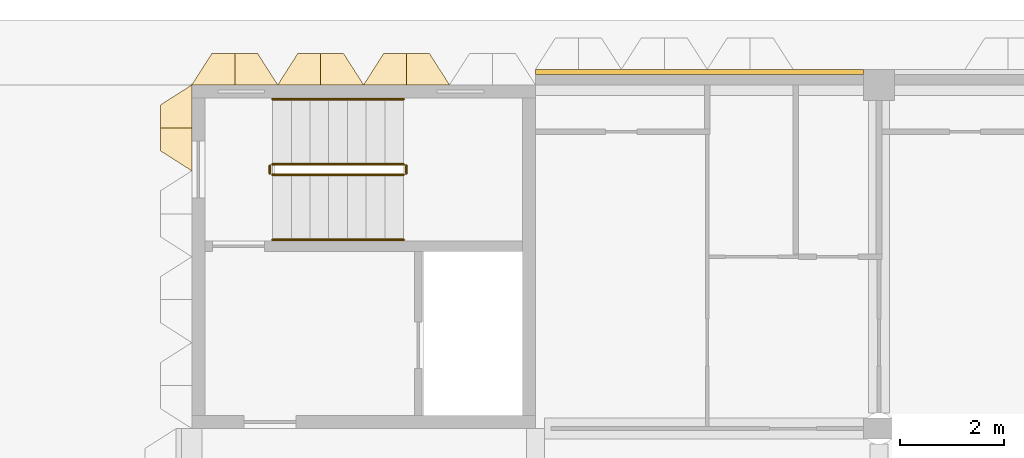
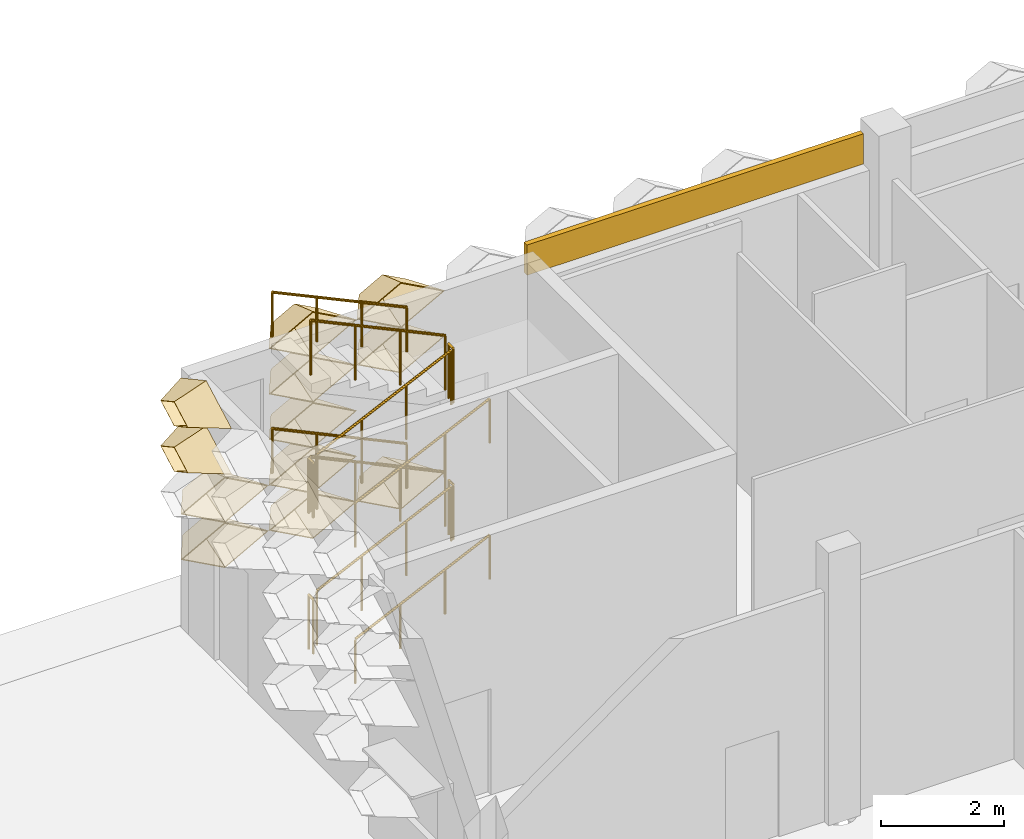
# One storey, part 74 of 85: 13 coverings, 12 railings.
"""IFC4 building model written with IfcOpenShell, lengths in metres."""

from ifc_helpers import new_model, entity, si_unit, direction, frame, frame_2d, origin, origin_2d, place, context, subcontext, project, spatial, rectangle, circle, extrude, material, layer, layer_set, type_object, element, save


model = new_model("IFC4")

# Units and contexts
model_context = context("Model", 3, precision=1e-05, world=origin(), true_north=direction((0.0, 1.0)))
body_context = subcontext(model_context, "Body", "Model", "MODEL_VIEW")
ifc_project = project(units=[si_unit("LENGTHUNIT", "METRE"), si_unit("AREAUNIT", "SQUARE_METRE"), si_unit("VOLUMEUNIT", "CUBIC_METRE"), si_unit("PLANEANGLEUNIT", "RADIAN"), si_unit("MASSUNIT", "GRAM", prefix="KILO")], contexts=[model_context])

# Site, building, storey
site_placement = place(None, origin())
site = spatial("IfcSite", under=ifc_project, at=site_placement, CompositionType="ELEMENT")
building_placement = place(site_placement, origin())
building = spatial("IfcBuilding", under=site, at=building_placement, Name="Lantern Court Research Institute", CompositionType="ELEMENT")
storey_placement = place(building_placement, origin())
storey = spatial("IfcBuildingStorey", under=building, at=storey_placement, Name="L00", CompositionType="ELEMENT", Elevation=0.0)

# Coverings
ifc_material_1 = material(Name="Aluminium composite panel with mineral wool insulation", Category="aluminium")
ifc_layer_1 = layer(ifc_material_1, 0.10009765625)
ifc_layer_set_1 = layer_set([ifc_layer_1], Name="Aluminium composite panel with mineral wool insulation")
covering_type_1 = type_object("IfcCoveringType", Name="Edge fascia panel 100 aluminium faced", PredefinedType="CLADDING", material=ifc_layer_set_1)
covering_1_placement = place(storey_placement, frame((6.60009765625, 99.25, 4.550048828125), z_axis=(0.0, 0.0, 1.0), x_axis=(1.0, 0.0, 0.0)))
element("IfcCovering", 1, at=covering_1_placement, inside=storey, type_object=covering_type_1, Name="Edge fascia V6N L00 01", PredefinedType="CLADDING", context=body_context, shape_type="SweptSolid", body=[
    extrude(rectangle(XDim=6.2998046875, YDim=0.10009765625, at=frame_2d((3.14990234375, 0.0))), origin(), (0.0, 0.0, 1.0), 0.599853515625),
])
ifc_material_2 = material(Name="Anodised aluminium", Category="aluminium")
ifc_layer_2 = layer(ifc_material_2, 0.01611328125)
ifc_layer_set_2 = layer_set([ifc_layer_2], Name="Anodised aluminium")
covering_type_2 = type_object("IfcCoveringType", Name="Fin cassette 1650 x 900 x 600 aluminium", PredefinedType="CLADDING", material=ifc_layer_set_2)
covering_2_placement = place(storey_placement, frame((0.824951171875, 99.0, 1.35009765625), z_axis=(0.0, 1.0, 0.0), x_axis=(-1.0, 0.0, 0.0)))
cartesian_point_1 = entity("IfcCartesianPoint", [0.824951171875, 0.0])
cartesian_point_2 = entity("IfcCartesianPoint", [0.79150390625, 0.0])
cartesian_point_3 = entity("IfcCartesianPoint", [0.44189453125, 0.0])
cartesian_point_4 = entity("IfcCartesianPoint", [0.43359375, 0.0])
element("IfcCovering", 2, at=covering_2_placement, inside=storey, type_object=covering_type_2, Name="Fin cassette V6N-L00 2.1", PredefinedType="CLADDING", context=body_context, shape_type="SweptSolid", body=[
    entity("IfcExtrudedAreaSolidTapered", entity("IfcArbitraryProfileDefWithVoids", "AREA", None, entity("IfcPolyline", [cartesian_point_1, entity("IfcCartesianPoint", [0.0, 0.449951171875]), entity("IfcCartesianPoint", [-0.824951171875, 0.0]), entity("IfcCartesianPoint", [0.0, -0.449951171875]), cartesian_point_1]), [entity("IfcPolyline", [cartesian_point_2, entity("IfcCartesianPoint", [0.0, 0.431884765625]), entity("IfcCartesianPoint", [-0.79150390625, 0.0]), entity("IfcCartesianPoint", [0.0, -0.431884765625]), cartesian_point_2])]), entity("IfcAxis2Placement3D", entity("IfcCartesianPoint", [0.0, 0.0, 0.0])), entity("IfcDirection", [0.0, 0.0, 1.0]), 0.60009765625, entity("IfcArbitraryProfileDefWithVoids", "AREA", None, entity("IfcPolyline", [cartesian_point_3, entity("IfcCartesianPoint", [0.0, 0.240966796875]), entity("IfcCartesianPoint", [-0.44189453125, 0.0]), entity("IfcCartesianPoint", [0.0, -0.240966796875]), cartesian_point_3]), [entity("IfcPolyline", [cartesian_point_4, entity("IfcCartesianPoint", [0.0, 0.236572265625]), entity("IfcCartesianPoint", [-0.43359375, 0.0]), entity("IfcCartesianPoint", [0.0, -0.236572265625]), cartesian_point_4])])),
])
covering_3_placement = place(storey_placement, frame((2.47509765625, 99.0, 1.35009765625), z_axis=(0.0, 1.0, 0.0), x_axis=(-1.0, 0.0, 0.0)))
cartesian_point_5 = entity("IfcCartesianPoint", [0.824951171875, 0.0])
cartesian_point_6 = entity("IfcCartesianPoint", [0.79150390625, 0.0])
cartesian_point_7 = entity("IfcCartesianPoint", [0.44189453125, 0.0])
cartesian_point_8 = entity("IfcCartesianPoint", [0.43359375, 0.0])
element("IfcCovering", 3, at=covering_3_placement, inside=storey, type_object=covering_type_2, Name="Fin cassette V6N-L00 2.2", PredefinedType="CLADDING", context=body_context, shape_type="SweptSolid", body=[
    entity("IfcExtrudedAreaSolidTapered", entity("IfcArbitraryProfileDefWithVoids", "AREA", None, entity("IfcPolyline", [cartesian_point_5, entity("IfcCartesianPoint", [0.0, 0.449951171875]), entity("IfcCartesianPoint", [-0.824951171875, 0.0]), entity("IfcCartesianPoint", [0.0, -0.449951171875]), cartesian_point_5]), [entity("IfcPolyline", [cartesian_point_6, entity("IfcCartesianPoint", [0.0, 0.431884765625]), entity("IfcCartesianPoint", [-0.79150390625, 0.0]), entity("IfcCartesianPoint", [0.0, -0.431884765625]), cartesian_point_6])]), entity("IfcAxis2Placement3D", entity("IfcCartesianPoint", [0.0, 0.0, 0.0])), entity("IfcDirection", [0.0, 0.0, 1.0]), 0.60009765625, entity("IfcArbitraryProfileDefWithVoids", "AREA", None, entity("IfcPolyline", [cartesian_point_7, entity("IfcCartesianPoint", [0.0, 0.240966796875]), entity("IfcCartesianPoint", [-0.44189453125, 0.0]), entity("IfcCartesianPoint", [0.0, -0.240966796875]), cartesian_point_7]), [entity("IfcPolyline", [cartesian_point_8, entity("IfcCartesianPoint", [0.0, 0.236572265625]), entity("IfcCartesianPoint", [-0.43359375, 0.0]), entity("IfcCartesianPoint", [0.0, -0.236572265625]), cartesian_point_8])])),
])
covering_4_placement = place(storey_placement, frame((4.125, 99.0, 1.35009765625), z_axis=(0.0, 1.0, 0.0), x_axis=(-1.0, 0.0, 0.0)))
cartesian_point_9 = entity("IfcCartesianPoint", [0.824951171875, 0.0])
cartesian_point_10 = entity("IfcCartesianPoint", [0.79150390625, 0.0])
cartesian_point_11 = entity("IfcCartesianPoint", [0.44189453125, 0.0])
cartesian_point_12 = entity("IfcCartesianPoint", [0.43359375, 0.0])
element("IfcCovering", 4, at=covering_4_placement, inside=storey, type_object=covering_type_2, Name="Fin cassette V6N-L00 2.3", PredefinedType="CLADDING", context=body_context, shape_type="SweptSolid", body=[
    entity("IfcExtrudedAreaSolidTapered", entity("IfcArbitraryProfileDefWithVoids", "AREA", None, entity("IfcPolyline", [cartesian_point_9, entity("IfcCartesianPoint", [0.0, 0.449951171875]), entity("IfcCartesianPoint", [-0.824951171875, 0.0]), entity("IfcCartesianPoint", [0.0, -0.449951171875]), cartesian_point_9]), [entity("IfcPolyline", [cartesian_point_10, entity("IfcCartesianPoint", [0.0, 0.431884765625]), entity("IfcCartesianPoint", [-0.79150390625, 0.0]), entity("IfcCartesianPoint", [0.0, -0.431884765625]), cartesian_point_10])]), entity("IfcAxis2Placement3D", entity("IfcCartesianPoint", [0.0, 0.0, 0.0])), entity("IfcDirection", [0.0, 0.0, 1.0]), 0.60009765625, entity("IfcArbitraryProfileDefWithVoids", "AREA", None, entity("IfcPolyline", [cartesian_point_11, entity("IfcCartesianPoint", [0.0, 0.240966796875]), entity("IfcCartesianPoint", [-0.44189453125, 0.0]), entity("IfcCartesianPoint", [0.0, -0.240966796875]), cartesian_point_11]), [entity("IfcPolyline", [cartesian_point_12, entity("IfcCartesianPoint", [0.0, 0.236572265625]), entity("IfcCartesianPoint", [-0.43359375, 0.0]), entity("IfcCartesianPoint", [0.0, -0.236572265625]), cartesian_point_12])])),
])
covering_5_placement = place(storey_placement, frame((0.824951171875, 99.0, 2.25), z_axis=(0.0, 1.0, 0.0), x_axis=(-1.0, 0.0, 0.0)))
cartesian_point_13 = entity("IfcCartesianPoint", [0.824951171875, 0.0])
cartesian_point_14 = entity("IfcCartesianPoint", [0.79150390625, 0.0])
cartesian_point_15 = entity("IfcCartesianPoint", [0.44189453125, 0.0])
cartesian_point_16 = entity("IfcCartesianPoint", [0.43359375, 0.0])
element("IfcCovering", 5, at=covering_5_placement, inside=storey, type_object=covering_type_2, Name="Fin cassette V6N-L00 3.1", PredefinedType="CLADDING", context=body_context, shape_type="SweptSolid", body=[
    entity("IfcExtrudedAreaSolidTapered", entity("IfcArbitraryProfileDefWithVoids", "AREA", None, entity("IfcPolyline", [cartesian_point_13, entity("IfcCartesianPoint", [0.0, 0.449951171875]), entity("IfcCartesianPoint", [-0.824951171875, 0.0]), entity("IfcCartesianPoint", [0.0, -0.449951171875]), cartesian_point_13]), [entity("IfcPolyline", [cartesian_point_14, entity("IfcCartesianPoint", [0.0, 0.431884765625]), entity("IfcCartesianPoint", [-0.79150390625, 0.0]), entity("IfcCartesianPoint", [0.0, -0.431884765625]), cartesian_point_14])]), entity("IfcAxis2Placement3D", entity("IfcCartesianPoint", [0.0, 0.0, 0.0])), entity("IfcDirection", [0.0, 0.0, 1.0]), 0.60009765625, entity("IfcArbitraryProfileDefWithVoids", "AREA", None, entity("IfcPolyline", [cartesian_point_15, entity("IfcCartesianPoint", [0.0, 0.240966796875]), entity("IfcCartesianPoint", [-0.44189453125, 0.0]), entity("IfcCartesianPoint", [0.0, -0.240966796875]), cartesian_point_15]), [entity("IfcPolyline", [cartesian_point_16, entity("IfcCartesianPoint", [0.0, 0.236572265625]), entity("IfcCartesianPoint", [-0.43359375, 0.0]), entity("IfcCartesianPoint", [0.0, -0.236572265625]), cartesian_point_16])])),
])
covering_6_placement = place(storey_placement, frame((2.47509765625, 99.0, 2.25), z_axis=(0.0, 1.0, 0.0), x_axis=(-1.0, 0.0, 0.0)))
cartesian_point_17 = entity("IfcCartesianPoint", [0.824951171875, 0.0])
cartesian_point_18 = entity("IfcCartesianPoint", [0.79150390625, 0.0])
cartesian_point_19 = entity("IfcCartesianPoint", [0.44189453125, 0.0])
cartesian_point_20 = entity("IfcCartesianPoint", [0.43359375, 0.0])
element("IfcCovering", 6, at=covering_6_placement, inside=storey, type_object=covering_type_2, Name="Fin cassette V6N-L00 3.2", PredefinedType="CLADDING", context=body_context, shape_type="SweptSolid", body=[
    entity("IfcExtrudedAreaSolidTapered", entity("IfcArbitraryProfileDefWithVoids", "AREA", None, entity("IfcPolyline", [cartesian_point_17, entity("IfcCartesianPoint", [0.0, 0.449951171875]), entity("IfcCartesianPoint", [-0.824951171875, 0.0]), entity("IfcCartesianPoint", [0.0, -0.449951171875]), cartesian_point_17]), [entity("IfcPolyline", [cartesian_point_18, entity("IfcCartesianPoint", [0.0, 0.431884765625]), entity("IfcCartesianPoint", [-0.79150390625, 0.0]), entity("IfcCartesianPoint", [0.0, -0.431884765625]), cartesian_point_18])]), entity("IfcAxis2Placement3D", entity("IfcCartesianPoint", [0.0, 0.0, 0.0])), entity("IfcDirection", [0.0, 0.0, 1.0]), 0.60009765625, entity("IfcArbitraryProfileDefWithVoids", "AREA", None, entity("IfcPolyline", [cartesian_point_19, entity("IfcCartesianPoint", [0.0, 0.240966796875]), entity("IfcCartesianPoint", [-0.44189453125, 0.0]), entity("IfcCartesianPoint", [0.0, -0.240966796875]), cartesian_point_19]), [entity("IfcPolyline", [cartesian_point_20, entity("IfcCartesianPoint", [0.0, 0.236572265625]), entity("IfcCartesianPoint", [-0.43359375, 0.0]), entity("IfcCartesianPoint", [0.0, -0.236572265625]), cartesian_point_20])])),
])
covering_7_placement = place(storey_placement, frame((2.47509765625, 99.0, 3.14990234375), z_axis=(0.0, 1.0, 0.0), x_axis=(-1.0, 0.0, 0.0)))
cartesian_point_21 = entity("IfcCartesianPoint", [0.824951171875, 0.0])
cartesian_point_22 = entity("IfcCartesianPoint", [0.79150390625, 0.0])
cartesian_point_23 = entity("IfcCartesianPoint", [0.44189453125, 0.0])
cartesian_point_24 = entity("IfcCartesianPoint", [0.43359375, 0.0])
element("IfcCovering", 7, at=covering_7_placement, inside=storey, type_object=covering_type_2, Name="Fin cassette V6N-L00 4.2", PredefinedType="CLADDING", context=body_context, shape_type="SweptSolid", body=[
    entity("IfcExtrudedAreaSolidTapered", entity("IfcArbitraryProfileDefWithVoids", "AREA", None, entity("IfcPolyline", [cartesian_point_21, entity("IfcCartesianPoint", [0.0, 0.449951171875]), entity("IfcCartesianPoint", [-0.824951171875, 0.0]), entity("IfcCartesianPoint", [0.0, -0.449951171875]), cartesian_point_21]), [entity("IfcPolyline", [cartesian_point_22, entity("IfcCartesianPoint", [0.0, 0.431884765625]), entity("IfcCartesianPoint", [-0.79150390625, 0.0]), entity("IfcCartesianPoint", [0.0, -0.431884765625]), cartesian_point_22])]), entity("IfcAxis2Placement3D", entity("IfcCartesianPoint", [0.0, 0.0, 0.0])), entity("IfcDirection", [0.0, 0.0, 1.0]), 0.60009765625, entity("IfcArbitraryProfileDefWithVoids", "AREA", None, entity("IfcPolyline", [cartesian_point_23, entity("IfcCartesianPoint", [0.0, 0.240966796875]), entity("IfcCartesianPoint", [-0.44189453125, 0.0]), entity("IfcCartesianPoint", [0.0, -0.240966796875]), cartesian_point_23]), [entity("IfcPolyline", [cartesian_point_24, entity("IfcCartesianPoint", [0.0, 0.236572265625]), entity("IfcCartesianPoint", [-0.43359375, 0.0]), entity("IfcCartesianPoint", [0.0, -0.236572265625]), cartesian_point_24])])),
])
covering_8_placement = place(storey_placement, frame((2.47509765625, 99.0, 4.050048828125), z_axis=(0.0, 1.0, 0.0), x_axis=(-1.0, 0.0, 0.0)))
cartesian_point_25 = entity("IfcCartesianPoint", [0.824951171875, 0.0])
cartesian_point_26 = entity("IfcCartesianPoint", [0.79150390625, 0.0])
cartesian_point_27 = entity("IfcCartesianPoint", [0.44189453125, 0.0])
cartesian_point_28 = entity("IfcCartesianPoint", [0.43359375, 0.0])
element("IfcCovering", 8, at=covering_8_placement, inside=storey, type_object=covering_type_2, Name="Fin cassette V6N-L00 5.2", PredefinedType="CLADDING", context=body_context, shape_type="SweptSolid", body=[
    entity("IfcExtrudedAreaSolidTapered", entity("IfcArbitraryProfileDefWithVoids", "AREA", None, entity("IfcPolyline", [cartesian_point_25, entity("IfcCartesianPoint", [0.0, 0.449951171875]), entity("IfcCartesianPoint", [-0.824951171875, 0.0]), entity("IfcCartesianPoint", [0.0, -0.449951171875]), cartesian_point_25]), [entity("IfcPolyline", [cartesian_point_26, entity("IfcCartesianPoint", [0.0, 0.431884765625]), entity("IfcCartesianPoint", [-0.79150390625, 0.0]), entity("IfcCartesianPoint", [0.0, -0.431884765625]), cartesian_point_26])]), entity("IfcAxis2Placement3D", entity("IfcCartesianPoint", [0.0, 0.0, 0.0])), entity("IfcDirection", [0.0, 0.0, 1.0]), 0.60009765625, entity("IfcArbitraryProfileDefWithVoids", "AREA", None, entity("IfcPolyline", [cartesian_point_27, entity("IfcCartesianPoint", [0.0, 0.240966796875]), entity("IfcCartesianPoint", [-0.44189453125, 0.0]), entity("IfcCartesianPoint", [0.0, -0.240966796875]), cartesian_point_27]), [entity("IfcPolyline", [cartesian_point_28, entity("IfcCartesianPoint", [0.0, 0.236572265625]), entity("IfcCartesianPoint", [-0.43359375, 0.0]), entity("IfcCartesianPoint", [0.0, -0.236572265625]), cartesian_point_28])])),
])
covering_9_placement = place(storey_placement, frame((4.125, 99.0, 4.050048828125), z_axis=(0.0, 1.0, 0.0), x_axis=(-1.0, 0.0, 0.0)))
cartesian_point_29 = entity("IfcCartesianPoint", [0.824951171875, 0.0])
cartesian_point_30 = entity("IfcCartesianPoint", [0.79150390625, 0.0])
cartesian_point_31 = entity("IfcCartesianPoint", [0.44189453125, 0.0])
cartesian_point_32 = entity("IfcCartesianPoint", [0.43359375, 0.0])
element("IfcCovering", 9, at=covering_9_placement, inside=storey, type_object=covering_type_2, Name="Fin cassette V6N-L00 5.3", PredefinedType="CLADDING", context=body_context, shape_type="SweptSolid", body=[
    entity("IfcExtrudedAreaSolidTapered", entity("IfcArbitraryProfileDefWithVoids", "AREA", None, entity("IfcPolyline", [cartesian_point_29, entity("IfcCartesianPoint", [0.0, 0.449951171875]), entity("IfcCartesianPoint", [-0.824951171875, 0.0]), entity("IfcCartesianPoint", [0.0, -0.449951171875]), cartesian_point_29]), [entity("IfcPolyline", [cartesian_point_30, entity("IfcCartesianPoint", [0.0, 0.431884765625]), entity("IfcCartesianPoint", [-0.79150390625, 0.0]), entity("IfcCartesianPoint", [0.0, -0.431884765625]), cartesian_point_30])]), entity("IfcAxis2Placement3D", entity("IfcCartesianPoint", [0.0, 0.0, 0.0])), entity("IfcDirection", [0.0, 0.0, 1.0]), 0.60009765625, entity("IfcArbitraryProfileDefWithVoids", "AREA", None, entity("IfcPolyline", [cartesian_point_31, entity("IfcCartesianPoint", [0.0, 0.240966796875]), entity("IfcCartesianPoint", [-0.44189453125, 0.0]), entity("IfcCartesianPoint", [0.0, -0.240966796875]), cartesian_point_31]), [entity("IfcPolyline", [cartesian_point_32, entity("IfcCartesianPoint", [0.0, 0.236572265625]), entity("IfcCartesianPoint", [-0.43359375, 0.0]), entity("IfcCartesianPoint", [0.0, -0.236572265625]), cartesian_point_32])])),
])
covering_10_placement = place(storey_placement, frame((2.47509765625, 99.0, 4.949951171875), z_axis=(0.0, 1.0, 0.0), x_axis=(-1.0, 0.0, 0.0)))
cartesian_point_33 = entity("IfcCartesianPoint", [0.824951171875, 0.0])
cartesian_point_34 = entity("IfcCartesianPoint", [0.79150390625, 0.0])
cartesian_point_35 = entity("IfcCartesianPoint", [0.44189453125, 0.0])
cartesian_point_36 = entity("IfcCartesianPoint", [0.43359375, 0.0])
element("IfcCovering", 10, at=covering_10_placement, inside=storey, type_object=covering_type_2, Name="Fin cassette V6N-L00 6.2", PredefinedType="CLADDING", context=body_context, shape_type="SweptSolid", body=[
    entity("IfcExtrudedAreaSolidTapered", entity("IfcArbitraryProfileDefWithVoids", "AREA", None, entity("IfcPolyline", [cartesian_point_33, entity("IfcCartesianPoint", [0.0, 0.449951171875]), entity("IfcCartesianPoint", [-0.824951171875, 0.0]), entity("IfcCartesianPoint", [0.0, -0.449951171875]), cartesian_point_33]), [entity("IfcPolyline", [cartesian_point_34, entity("IfcCartesianPoint", [0.0, 0.431884765625]), entity("IfcCartesianPoint", [-0.79150390625, 0.0]), entity("IfcCartesianPoint", [0.0, -0.431884765625]), cartesian_point_34])]), entity("IfcAxis2Placement3D", entity("IfcCartesianPoint", [0.0, 0.0, 0.0])), entity("IfcDirection", [0.0, 0.0, 1.0]), 0.60009765625, entity("IfcArbitraryProfileDefWithVoids", "AREA", None, entity("IfcPolyline", [cartesian_point_35, entity("IfcCartesianPoint", [0.0, 0.240966796875]), entity("IfcCartesianPoint", [-0.44189453125, 0.0]), entity("IfcCartesianPoint", [0.0, -0.240966796875]), cartesian_point_35]), [entity("IfcPolyline", [cartesian_point_36, entity("IfcCartesianPoint", [0.0, 0.236572265625]), entity("IfcCartesianPoint", [-0.43359375, 0.0]), entity("IfcCartesianPoint", [0.0, -0.236572265625]), cartesian_point_36])])),
])
covering_11_placement = place(storey_placement, frame((4.125, 99.0, 4.949951171875), z_axis=(0.0, 1.0, 0.0), x_axis=(-1.0, 0.0, 0.0)))
cartesian_point_37 = entity("IfcCartesianPoint", [0.824951171875, 0.0])
cartesian_point_38 = entity("IfcCartesianPoint", [0.79150390625, 0.0])
cartesian_point_39 = entity("IfcCartesianPoint", [0.44189453125, 0.0])
cartesian_point_40 = entity("IfcCartesianPoint", [0.43359375, 0.0])
element("IfcCovering", 11, at=covering_11_placement, inside=storey, type_object=covering_type_2, Name="Fin cassette V6N-L00 6.3", PredefinedType="CLADDING", context=body_context, shape_type="SweptSolid", body=[
    entity("IfcExtrudedAreaSolidTapered", entity("IfcArbitraryProfileDefWithVoids", "AREA", None, entity("IfcPolyline", [cartesian_point_37, entity("IfcCartesianPoint", [0.0, 0.449951171875]), entity("IfcCartesianPoint", [-0.824951171875, 0.0]), entity("IfcCartesianPoint", [0.0, -0.449951171875]), cartesian_point_37]), [entity("IfcPolyline", [cartesian_point_38, entity("IfcCartesianPoint", [0.0, 0.431884765625]), entity("IfcCartesianPoint", [-0.79150390625, 0.0]), entity("IfcCartesianPoint", [0.0, -0.431884765625]), cartesian_point_38])]), entity("IfcAxis2Placement3D", entity("IfcCartesianPoint", [0.0, 0.0, 0.0])), entity("IfcDirection", [0.0, 0.0, 1.0]), 0.60009765625, entity("IfcArbitraryProfileDefWithVoids", "AREA", None, entity("IfcPolyline", [cartesian_point_39, entity("IfcCartesianPoint", [0.0, 0.240966796875]), entity("IfcCartesianPoint", [-0.44189453125, 0.0]), entity("IfcCartesianPoint", [0.0, -0.240966796875]), cartesian_point_39]), [entity("IfcPolyline", [cartesian_point_40, entity("IfcCartesianPoint", [0.0, 0.236572265625]), entity("IfcCartesianPoint", [-0.43359375, 0.0]), entity("IfcCartesianPoint", [0.0, -0.236572265625]), cartesian_point_40])])),
])
covering_12_placement = place(storey_placement, frame((0.0, 98.175048828125, 4.050048828125), z_axis=(-1.0, 0.0, 0.0), x_axis=(0.0, -1.0, 0.0)))
cartesian_point_41 = entity("IfcCartesianPoint", [0.824951171875, 0.0])
cartesian_point_42 = entity("IfcCartesianPoint", [0.79150390625, 0.0])
cartesian_point_43 = entity("IfcCartesianPoint", [0.44189453125, 0.0])
cartesian_point_44 = entity("IfcCartesianPoint", [0.43359375, 0.0])
element("IfcCovering", 12, at=covering_12_placement, inside=storey, type_object=covering_type_2, Name="Fin cassette V6W-L00 5.60", PredefinedType="CLADDING", context=body_context, shape_type="SweptSolid", body=[
    entity("IfcExtrudedAreaSolidTapered", entity("IfcArbitraryProfileDefWithVoids", "AREA", None, entity("IfcPolyline", [cartesian_point_41, entity("IfcCartesianPoint", [0.0, 0.449951171875]), entity("IfcCartesianPoint", [-0.824951171875, 0.0]), entity("IfcCartesianPoint", [0.0, -0.449951171875]), cartesian_point_41]), [entity("IfcPolyline", [cartesian_point_42, entity("IfcCartesianPoint", [0.0, 0.431884765625]), entity("IfcCartesianPoint", [-0.79150390625, 0.0]), entity("IfcCartesianPoint", [0.0, -0.431884765625]), cartesian_point_42])]), entity("IfcAxis2Placement3D", entity("IfcCartesianPoint", [0.0, 0.0, 0.0])), entity("IfcDirection", [0.0, 0.0, 1.0]), 0.60009765625, entity("IfcArbitraryProfileDefWithVoids", "AREA", None, entity("IfcPolyline", [cartesian_point_43, entity("IfcCartesianPoint", [0.0, 0.240966796875]), entity("IfcCartesianPoint", [-0.44189453125, 0.0]), entity("IfcCartesianPoint", [0.0, -0.240966796875]), cartesian_point_43]), [entity("IfcPolyline", [cartesian_point_44, entity("IfcCartesianPoint", [0.0, 0.236572265625]), entity("IfcCartesianPoint", [-0.43359375, 0.0]), entity("IfcCartesianPoint", [0.0, -0.236572265625]), cartesian_point_44])])),
])
covering_13_placement = place(storey_placement, frame((0.0, 98.175048828125, 4.949951171875), z_axis=(-1.0, 0.0, 0.0), x_axis=(0.0, -1.0, 0.0)))
cartesian_point_45 = entity("IfcCartesianPoint", [0.824951171875, 0.0])
cartesian_point_46 = entity("IfcCartesianPoint", [0.79150390625, 0.0])
cartesian_point_47 = entity("IfcCartesianPoint", [0.44189453125, 0.0])
cartesian_point_48 = entity("IfcCartesianPoint", [0.43359375, 0.0])
element("IfcCovering", 13, at=covering_13_placement, inside=storey, type_object=covering_type_2, Name="Fin cassette V6W-L00 6.60", PredefinedType="CLADDING", context=body_context, shape_type="SweptSolid", body=[
    entity("IfcExtrudedAreaSolidTapered", entity("IfcArbitraryProfileDefWithVoids", "AREA", None, entity("IfcPolyline", [cartesian_point_45, entity("IfcCartesianPoint", [0.0, 0.449951171875]), entity("IfcCartesianPoint", [-0.824951171875, 0.0]), entity("IfcCartesianPoint", [0.0, -0.449951171875]), cartesian_point_45]), [entity("IfcPolyline", [cartesian_point_46, entity("IfcCartesianPoint", [0.0, 0.431884765625]), entity("IfcCartesianPoint", [-0.79150390625, 0.0]), entity("IfcCartesianPoint", [0.0, -0.431884765625]), cartesian_point_46])]), entity("IfcAxis2Placement3D", entity("IfcCartesianPoint", [0.0, 0.0, 0.0])), entity("IfcDirection", [0.0, 0.0, 1.0]), 0.60009765625, entity("IfcArbitraryProfileDefWithVoids", "AREA", None, entity("IfcPolyline", [cartesian_point_47, entity("IfcCartesianPoint", [0.0, 0.240966796875]), entity("IfcCartesianPoint", [-0.44189453125, 0.0]), entity("IfcCartesianPoint", [0.0, -0.240966796875]), cartesian_point_47]), [entity("IfcPolyline", [cartesian_point_48, entity("IfcCartesianPoint", [0.0, 0.236572265625]), entity("IfcCartesianPoint", [-0.43359375, 0.0]), entity("IfcCartesianPoint", [0.0, -0.236572265625]), cartesian_point_48])])),
])

# Railings
ifc_material_3 = material(Name="Structural steel S355", Category="steel")
railing_type_1 = type_object("IfcRailingType", Name="Stair guard 1100 steel", PredefinedType="GUARDRAIL", material=ifc_material_3)
railing_1_placement = place(storey_placement, frame((1.550048828125, 97.27490234375, 0.168701171875)))
element("IfcRailing", 14, at=railing_1_placement, inside=storey, type_object=railing_type_1, Name="L00 ST-W1 stair guard 1", PredefinedType="GUARDRAIL", context=body_context, shape_type="SweptSolid", body=[
    extrude(circle(Radius=0.02392578125, at=origin_2d()), frame((0.0, 0.0, 1.076171875), z_axis=(0.905439972488, 0.0, 0.424474329284), x_axis=(0.0, 1.0, 0.0)), (0.0, 0.0, 1.0), 2.783203125),
    extrude(circle(Radius=0.02099609375, at=origin_2d()), origin(), (0.0, 0.0, 1.0), 1.052001953125),
    extrude(circle(Radius=0.02099609375, at=origin_2d()), frame((0.840087890625, 0.0, 0.393798828125)), (0.0, 0.0, 1.0), 1.052001953125),
    extrude(circle(Radius=0.02099609375, at=origin_2d()), frame((1.679931640625, 0.0, 0.78759765625)), (0.0, 0.0, 1.0), 1.052001953125),
    extrude(circle(Radius=0.02099609375, at=origin_2d()), frame((2.52001953125, 0.0, 1.181396484375)), (0.0, 0.0, 1.0), 1.052001953125),
])
railing_2_placement = place(storey_placement, frame((4.1201171875, 97.300048828125, 1.35009765625)))
element("IfcRailing", 15, at=railing_2_placement, inside=storey, type_object=railing_type_1, Name="L00 ST-W1 stair guard 2", PredefinedType="GUARDRAIL", context=body_context, shape_type="SweptSolid", body=[
    extrude(circle(Radius=0.02392578125, at=origin_2d()), frame((0.0, 0.0, 1.076171875), z_axis=(0.0, 1.0, 0.0), x_axis=(-1.0, 0.0, 0.0)), (0.0, 0.0, 1.0), 0.14990234375),
    extrude(circle(Radius=0.02099609375, at=origin_2d()), origin(), (0.0, 0.0, 1.0), 1.052001953125),
    extrude(circle(Radius=0.02099609375, at=origin_2d()), frame((0.0, 0.14990234375, 0.0)), (0.0, 0.0, 1.0), 1.052001953125),
])
railing_3_placement = place(storey_placement, frame((4.070068359375, 97.47509765625, 1.518798828125)))
element("IfcRailing", 16, at=railing_3_placement, inside=storey, type_object=railing_type_1, Name="L00 ST-W1 stair guard 3", PredefinedType="GUARDRAIL", context=body_context, shape_type="SweptSolid", body=[
    extrude(circle(Radius=0.02392578125, at=origin_2d()), frame((0.0, 0.0, 1.076171875), z_axis=(-0.905473684625, 0.0, 0.424402410988), x_axis=(0.0, -1.0, 0.0)), (0.0, 0.0, 1.0), 2.783203125),
    extrude(circle(Radius=0.02099609375, at=origin_2d()), origin(), (0.0, 0.0, 1.0), 1.052001953125),
    extrude(circle(Radius=0.02099609375, at=origin_2d()), frame((-0.840087890625, 0.0, 0.393798828125)), (0.0, 0.0, 1.0), 1.052001953125),
    extrude(circle(Radius=0.02099609375, at=origin_2d()), frame((-1.679931640625, 0.0, 0.787353515625)), (0.0, 0.0, 1.0), 1.052001953125),
    extrude(circle(Radius=0.02099609375, at=origin_2d()), frame((-2.52001953125, 0.0, 1.18115234375)), (0.0, 0.0, 1.0), 1.052001953125),
])
railing_4_placement = place(storey_placement, frame((1.5, 97.300048828125, 2.699951171875)))
element("IfcRailing", 17, at=railing_4_placement, inside=storey, type_object=railing_type_1, Name="L00 ST-W1 stair guard 4", PredefinedType="GUARDRAIL", context=body_context, shape_type="SweptSolid", body=[
    extrude(circle(Radius=0.02392578125, at=origin_2d()), frame((0.0, 0.0, 1.076171875), z_axis=(0.0, 1.0, 0.0), x_axis=(-1.0, 0.0, 0.0)), (0.0, 0.0, 1.0), 0.14990234375),
    extrude(circle(Radius=0.02099609375, at=origin_2d()), origin(), (0.0, 0.0, 1.0), 1.052001953125),
    extrude(circle(Radius=0.02099609375, at=origin_2d()), frame((0.0, 0.14990234375, 0.0)), (0.0, 0.0, 1.0), 1.052001953125),
])
railing_5_placement = place(storey_placement, frame((1.550048828125, 97.27490234375, 2.86865234375)))
element("IfcRailing", 18, at=railing_5_placement, inside=storey, type_object=railing_type_1, Name="L00 ST-W1 stair guard 5", PredefinedType="GUARDRAIL", context=body_context, shape_type="SweptSolid", body=[
    extrude(circle(Radius=0.02392578125, at=origin_2d()), frame((0.0, 0.0, 1.076171875), z_axis=(0.905439972488, 0.0, 0.424474329284), x_axis=(0.0, 1.0, 0.0)), (0.0, 0.0, 1.0), 2.783203125),
    extrude(circle(Radius=0.02099609375, at=origin_2d()), origin(), (0.0, 0.0, 1.0), 1.052001953125),
    extrude(circle(Radius=0.02099609375, at=origin_2d()), frame((0.840087890625, 0.0, 0.393798828125)), (0.0, 0.0, 1.0), 1.052001953125),
    extrude(circle(Radius=0.02099609375, at=origin_2d()), frame((1.679931640625, 0.0, 0.78759765625)), (0.0, 0.0, 1.0), 1.052001953125),
    extrude(circle(Radius=0.02099609375, at=origin_2d()), frame((2.52001953125, 0.0, 1.181396484375)), (0.0, 0.0, 1.0), 1.052001953125),
])
railing_6_placement = place(storey_placement, frame((4.1201171875, 97.300048828125, 4.050048828125)))
element("IfcRailing", 19, at=railing_6_placement, inside=storey, type_object=railing_type_1, Name="L00 ST-W1 stair guard 6", PredefinedType="GUARDRAIL", context=body_context, shape_type="SweptSolid", body=[
    extrude(circle(Radius=0.02392578125, at=origin_2d()), frame((0.0, 0.0, 1.076171875), z_axis=(0.0, 1.0, 0.0), x_axis=(-1.0, 0.0, 0.0)), (0.0, 0.0, 1.0), 0.14990234375),
    extrude(circle(Radius=0.02099609375, at=origin_2d()), origin(), (0.0, 0.0, 1.0), 1.052001953125),
    extrude(circle(Radius=0.02099609375, at=origin_2d()), frame((0.0, 0.14990234375, 0.0)), (0.0, 0.0, 1.0), 1.052001953125),
])
railing_7_placement = place(storey_placement, frame((4.070068359375, 97.47509765625, 4.21875)))
element("IfcRailing", 20, at=railing_7_placement, inside=storey, type_object=railing_type_1, Name="L00 ST-W1 stair guard 7", PredefinedType="GUARDRAIL", context=body_context, shape_type="SweptSolid", body=[
    extrude(circle(Radius=0.02392578125, at=origin_2d()), frame((0.0, 0.0, 1.076171875), z_axis=(-0.905473684625, 0.0, 0.424402410988), x_axis=(0.0, -1.0, 0.0)), (0.0, 0.0, 1.0), 2.783203125),
    extrude(circle(Radius=0.02099609375, at=origin_2d()), origin(), (0.0, 0.0, 1.0), 1.052001953125),
    extrude(circle(Radius=0.02099609375, at=origin_2d()), frame((-0.840087890625, 0.0, 0.393798828125)), (0.0, 0.0, 1.0), 1.052001953125),
    extrude(circle(Radius=0.02099609375, at=origin_2d()), frame((-1.679931640625, 0.0, 0.787353515625)), (0.0, 0.0, 1.0), 1.052001953125),
    extrude(circle(Radius=0.02099609375, at=origin_2d()), frame((-2.52001953125, 0.0, 1.18115234375)), (0.0, 0.0, 1.0), 1.052001953125),
])
railing_8_placement = place(storey_placement, frame((1.5, 97.300048828125, 0.0)))
element("IfcRailing", 21, at=railing_8_placement, inside=storey, type_object=railing_type_1, Name="L00 ST-W1 stair guard 8", PredefinedType="GUARDRAIL", context=body_context, shape_type="SweptSolid", body=[
    extrude(circle(Radius=0.02392578125, at=origin_2d()), frame((0.0, 0.0, 1.076171875), z_axis=(0.0, 1.0, 0.0), x_axis=(-1.0, 0.0, 0.0)), (0.0, 0.0, 1.0), 0.14990234375),
    extrude(circle(Radius=0.02099609375, at=origin_2d()), origin(), (0.0, 0.0, 1.0), 1.052001953125),
    extrude(circle(Radius=0.02099609375, at=origin_2d()), frame((0.0, 0.14990234375, 0.0)), (0.0, 0.0, 1.0), 1.052001953125),
])
ifc_material_4 = material(Name="Stainless steel 316", Category="steel")
railing_type_2 = type_object("IfcRailingType", Name="Stair handrail 900 steel", PredefinedType="HANDRAIL", material=ifc_material_4)
railing_9_placement = place(storey_placement, frame((1.550048828125, 96.02490234375, 0.168701171875)))
element("IfcRailing", 22, at=railing_9_placement, inside=storey, type_object=railing_type_2, Name="L00 ST-W1 stair handrail 1", PredefinedType="HANDRAIL", context=body_context, shape_type="SweptSolid", body=[
    extrude(circle(Radius=0.02392578125, at=origin_2d()), frame((0.0, 0.0, 0.8759765625), z_axis=(0.905439972488, 0.0, 0.424474329284), x_axis=(0.0, 1.0, 0.0)), (0.0, 0.0, 1.0), 2.783203125),
    extrude(circle(Radius=0.02099609375, at=origin_2d()), origin(), (0.0, 0.0, 1.0), 0.851806640625),
    extrude(circle(Radius=0.02099609375, at=origin_2d()), frame((0.840087890625, 0.0, 0.393798828125)), (0.0, 0.0, 1.0), 0.851806640625),
    extrude(circle(Radius=0.02099609375, at=origin_2d()), frame((1.679931640625, 0.0, 0.78759765625)), (0.0, 0.0, 1.0), 0.851806640625),
    extrude(circle(Radius=0.02099609375, at=origin_2d()), frame((2.52001953125, 0.0, 1.181396484375)), (0.0, 0.0, 1.0), 0.851806640625),
])
railing_10_placement = place(storey_placement, frame((4.070068359375, 98.72509765625, 1.518798828125)))
element("IfcRailing", 23, at=railing_10_placement, inside=storey, type_object=railing_type_2, Name="L00 ST-W1 stair handrail 2", PredefinedType="HANDRAIL", context=body_context, shape_type="SweptSolid", body=[
    extrude(circle(Radius=0.02392578125, at=origin_2d()), frame((0.0, 0.0, 0.8759765625), z_axis=(-0.905473684625, 0.0, 0.424402410988), x_axis=(0.0, -1.0, 0.0)), (0.0, 0.0, 1.0), 2.783203125),
    extrude(circle(Radius=0.02099609375, at=origin_2d()), origin(), (0.0, 0.0, 1.0), 0.851806640625),
    extrude(circle(Radius=0.02099609375, at=origin_2d()), frame((-0.840087890625, 0.0, 0.393798828125)), (0.0, 0.0, 1.0), 0.851806640625),
    extrude(circle(Radius=0.02099609375, at=origin_2d()), frame((-1.679931640625, 0.0, 0.787353515625)), (0.0, 0.0, 1.0), 0.851806640625),
    extrude(circle(Radius=0.02099609375, at=origin_2d()), frame((-2.52001953125, 0.0, 1.18115234375)), (0.0, 0.0, 1.0), 0.851806640625),
])
railing_11_placement = place(storey_placement, frame((1.550048828125, 96.02490234375, 2.86865234375)))
element("IfcRailing", 24, at=railing_11_placement, inside=storey, type_object=railing_type_2, Name="L00 ST-W1 stair handrail 3", PredefinedType="HANDRAIL", context=body_context, shape_type="SweptSolid", body=[
    extrude(circle(Radius=0.02392578125, at=origin_2d()), frame((0.0, 0.0, 0.8759765625), z_axis=(0.905439972488, 0.0, 0.424474329284), x_axis=(0.0, 1.0, 0.0)), (0.0, 0.0, 1.0), 2.783203125),
    extrude(circle(Radius=0.02099609375, at=origin_2d()), origin(), (0.0, 0.0, 1.0), 0.851806640625),
    extrude(circle(Radius=0.02099609375, at=origin_2d()), frame((0.840087890625, 0.0, 0.393798828125)), (0.0, 0.0, 1.0), 0.851806640625),
    extrude(circle(Radius=0.02099609375, at=origin_2d()), frame((1.679931640625, 0.0, 0.78759765625)), (0.0, 0.0, 1.0), 0.851806640625),
    extrude(circle(Radius=0.02099609375, at=origin_2d()), frame((2.52001953125, 0.0, 1.181396484375)), (0.0, 0.0, 1.0), 0.851806640625),
])
railing_12_placement = place(storey_placement, frame((4.070068359375, 98.72509765625, 4.21875)))
element("IfcRailing", 25, at=railing_12_placement, inside=storey, type_object=railing_type_2, Name="L00 ST-W1 stair handrail 4", PredefinedType="HANDRAIL", context=body_context, shape_type="SweptSolid", body=[
    extrude(circle(Radius=0.02392578125, at=origin_2d()), frame((0.0, 0.0, 0.8759765625), z_axis=(-0.905473684625, 0.0, 0.424402410988), x_axis=(0.0, -1.0, 0.0)), (0.0, 0.0, 1.0), 2.783203125),
    extrude(circle(Radius=0.02099609375, at=origin_2d()), origin(), (0.0, 0.0, 1.0), 0.851806640625),
    extrude(circle(Radius=0.02099609375, at=origin_2d()), frame((-0.840087890625, 0.0, 0.393798828125)), (0.0, 0.0, 1.0), 0.851806640625),
    extrude(circle(Radius=0.02099609375, at=origin_2d()), frame((-1.679931640625, 0.0, 0.787353515625)), (0.0, 0.0, 1.0), 0.851806640625),
    extrude(circle(Radius=0.02099609375, at=origin_2d()), frame((-2.52001953125, 0.0, 1.18115234375)), (0.0, 0.0, 1.0), 0.851806640625),
])

save(model, "model.ifc")
